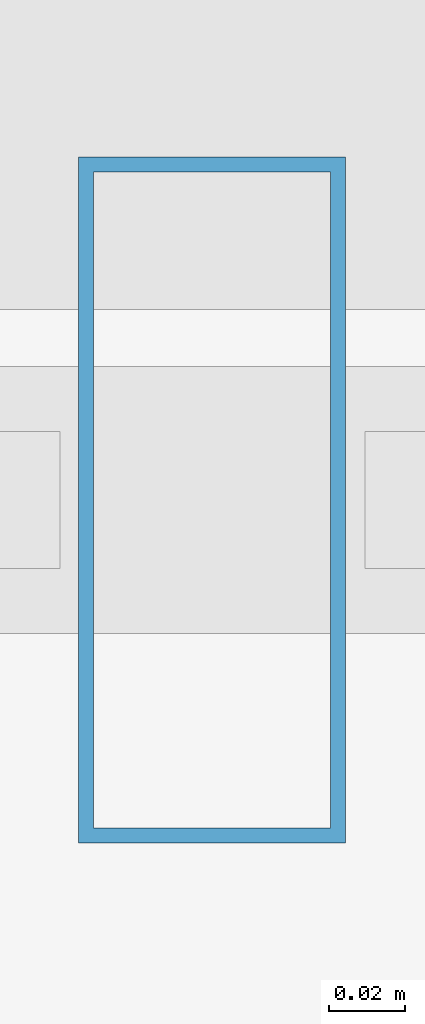
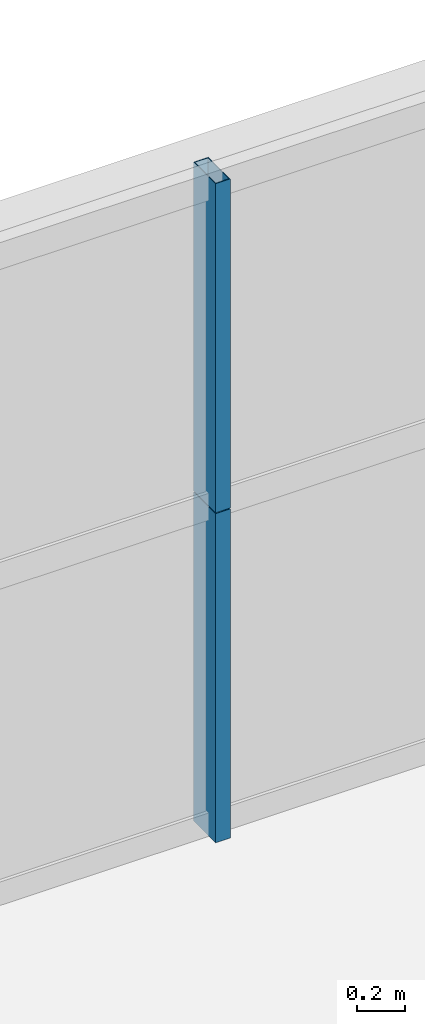
# One storey, part 28 of 43: 2 members, 1 element without a shape of its own.
"""IFC4 building model written with IfcOpenShell, lengths in metres."""

from ifc_helpers import new_model, si_unit, direction, frame, origin, origin_2d, place, context, subcontext, project, spatial, hollow_rectangle, extrude, source, transform, mapped, material, layer, layer_set, material_profile, profile_set, type_object, element, aggregate, save


model = new_model("IFC4")

# Units and contexts
model_context = context("Model", 3, precision=1e-05, world=origin(), true_north=direction((0.0, 1.0)))
body_context = subcontext(model_context, "Body", "Model", "MODEL_VIEW")
ifc_project = project(units=[si_unit("LENGTHUNIT", "METRE"), si_unit("AREAUNIT", "SQUARE_METRE"), si_unit("VOLUMEUNIT", "CUBIC_METRE"), si_unit("PLANEANGLEUNIT", "RADIAN"), si_unit("MASSUNIT", "GRAM", prefix="KILO"), si_unit("THERMODYNAMICTEMPERATUREUNIT", "KELVIN"), si_unit("POWERUNIT", "WATT")], contexts=[model_context])

# Site, building, storey
site_placement = place(None, origin())
site = spatial("IfcSite", under=ifc_project, at=site_placement, CompositionType="ELEMENT")
building_placement = place(site_placement, origin())
building = spatial("IfcBuilding", under=site, at=building_placement, Name="Yuzanri Waterfront Tower", CompositionType="ELEMENT")
storey_placement = place(building_placement, frame((0.0, 0.0, 37.800048828125)))
storey = spatial("IfcBuildingStorey", under=building, at=storey_placement, Name="L09", CompositionType="ELEMENT", Elevation=37.800048828125)

# Curtain wall, members
ifc_material_1 = material(Name="Anodized Architectural Bronze", Category="metal")
ifc_layer = layer(ifc_material_1, 0.159912109375)
ifc_layer_set = layer_set([ifc_layer], Name="Anodized Architectural Bronze")
curtain_wall_type = type_object("IfcCurtainWallType", Name="Anodized Bronze Hotel Lower-Tier Recessed Unitized Curtain Wall 8100", PredefinedType="NOTDEFINED", material=ifc_layer_set)
curtain_wall_placement = place(storey_placement, origin())
curtain_wall = element("IfcCurtainWall", 1, at=curtain_wall_placement, inside=storey, type_object=curtain_wall_type, Name="L09 Curtain Wall CW-L09-NL", PredefinedType="NOTDEFINED")
ifc_material_2 = material(Name="Anodized Architectural Bronze", Category="metal")
ifc_material_profile = material_profile(ifc_material_2, hollow_rectangle(XDim=0.070068359375, YDim=0.179931640625, WallThickness=0.00390625, at=origin_2d()), Name="CWM 70x180")
ifc_profile_set = profile_set([ifc_material_profile], Name="Anodized Architectural Bronze")
member_type = type_object("IfcMemberType", Name="Anodized Bronze Standard Curtain-Wall Mullion 70x180", PredefinedType="MULLION", material=ifc_profile_set)
shared_shape_1 = source(origin(), body_context, "Body", "SweptSolid", [
    extrude(hollow_rectangle(XDim=0.070068359375, YDim=0.179931640625, WallThickness=0.00390625, at=origin_2d()), origin(), (0.0, 0.0, 1.0), 1.657958984375),
])
member_1_placement = place(storey_placement, frame((27.89990234375, 50.75, 0.0), z_axis=(0.0, 0.0, 1.0), x_axis=(1.0, 0.0, 0.0)))
member_1 = element("IfcMember", 2, at=member_1_placement, type_object=member_type, Name="CW-L09-NL Lower Mullion 01", PredefinedType="MULLION", context=body_context, shape_type="MappedRepresentation", body=[
    mapped(shared_shape_1, transform((0.0, 0.0, 0.0), scale=1.0)),
])
shared_shape_2 = source(origin(), body_context, "Body", "SweptSolid", [
    extrude(hollow_rectangle(XDim=0.070068359375, YDim=0.179931640625, WallThickness=0.00390625, at=origin_2d()), origin(), (0.0, 0.0, 1.0), 1.658203125),
])
member_2_placement = place(storey_placement, frame((27.89990234375, 50.75, 1.661865234375), z_axis=(0.0, 0.0, 1.0), x_axis=(1.0, 0.0, 0.0)))
member_2 = element("IfcMember", 3, at=member_2_placement, type_object=member_type, Name="CW-L09-NL Upper Mullion 01", PredefinedType="MULLION", context=body_context, shape_type="MappedRepresentation", body=[
    mapped(shared_shape_2, transform((0.0, 0.0, 0.0), scale=1.0)),
])
aggregate(curtain_wall, [member_1, member_2])

save(model, "model.ifc")
